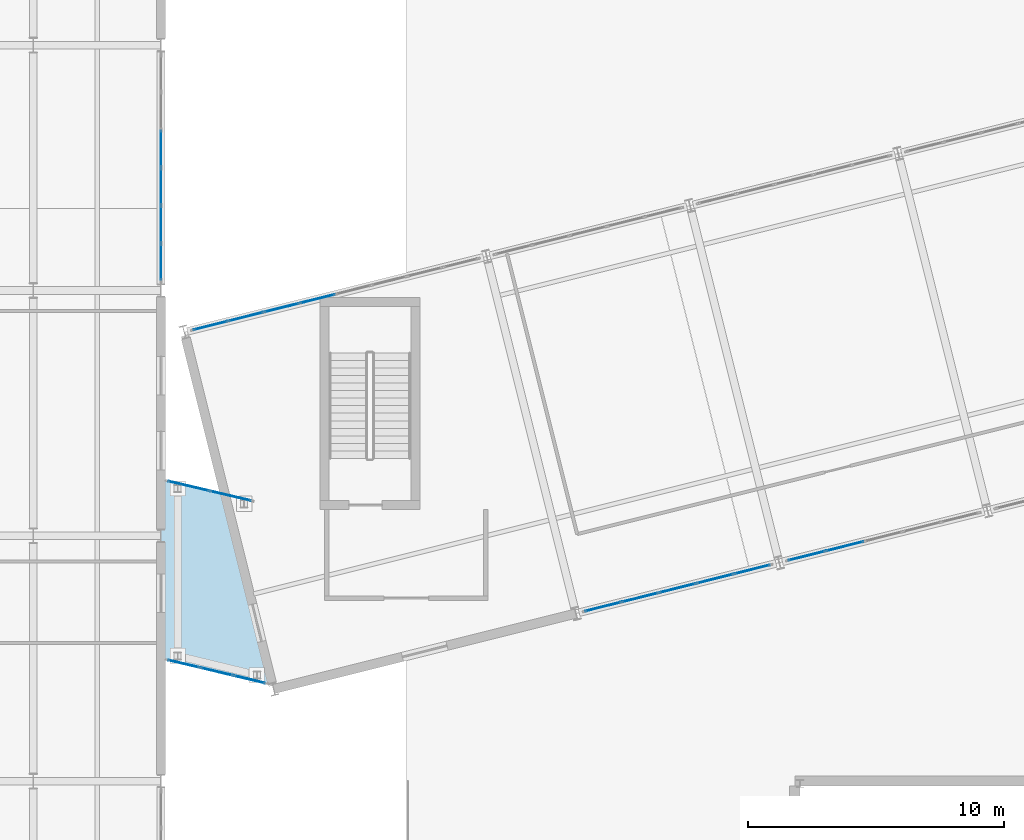
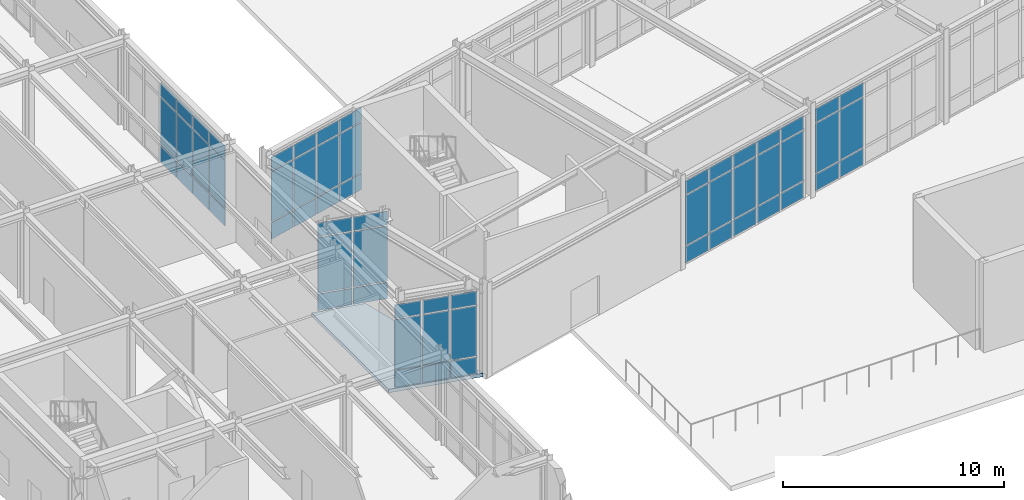
# One storey, part 66 of 109: 60 plates, 1 slab, 6 elements without a shape of their own.
"""IFC4 building model written with IfcOpenShell, lengths in metres."""

from ifc_helpers import new_model, si_unit, direction, frame, origin, origin_2d, place, context, subcontext, project, spatial, polyline, rectangle, outline, extrude, material, layer, layer_set, type_object, element, aggregate, save


model = new_model("IFC4")

# Units and contexts
model_context = context("Model", 3, precision=1e-05, world=origin(), true_north=direction((0.0, 1.0)))
body_context = subcontext(model_context, "Body", "Model", "MODEL_VIEW")
ifc_project = project(units=[si_unit("LENGTHUNIT", "METRE"), si_unit("AREAUNIT", "SQUARE_METRE"), si_unit("VOLUMEUNIT", "CUBIC_METRE"), si_unit("PLANEANGLEUNIT", "RADIAN"), si_unit("MASSUNIT", "GRAM", prefix="KILO")], contexts=[model_context])

# Site, building, storey
site_placement = place(None, origin())
site = spatial("IfcSite", under=ifc_project, at=site_placement, CompositionType="ELEMENT")
building_placement = place(site_placement, origin())
building = spatial("IfcBuilding", under=site, at=building_placement, Name="Nordkorset Police Headquarters", CompositionType="ELEMENT")
storey_placement = place(building_placement, origin())
storey = spatial("IfcBuildingStorey", under=building, at=storey_placement, Name="L00", CompositionType="ELEMENT", Elevation=0.0)

# Curtain wall, plates
ifc_material_1 = material(Name="Aluminium alloy AW-6060", Category="aluminium")
ifc_layer_1 = layer(ifc_material_1, 0.179931640625, Name="Aluminium alloy AW-6060")
ifc_layer_set_1 = layer_set([ifc_layer_1], Name="Aluminium alloy AW-6060")
curtain_wall_type_1 = type_object("IfcCurtainWallType", Name="CW_Unit_888x454", PredefinedType="USERDEFINED", material=ifc_layer_set_1)
curtain_wall_1_placement = place(storey_placement, origin())
curtain_wall_1 = element("IfcCurtainWall", 1, at=curtain_wall_1_placement, inside=storey, type_object=curtain_wall_type_1, Name="Unitised Curtain Wall L00 V3E-3", ObjectType="UNITISED CURTAIN WALL", PredefinedType="USERDEFINED")
ifc_material_2 = material(Name="Low-iron triple glazing", Category="glass")
ifc_layer_2 = layer(ifc_material_2, 0.035888671875, Name="Low-iron triple glazing")
ifc_layer_set_2 = layer_set([ifc_layer_2], Name="Low-iron triple glazing")
plate_type = type_object("IfcPlateType", Name="CW_Panel_TripleGlazing_36", PredefinedType="CURTAIN_PANEL", material=ifc_layer_set_2)
plate_1_placement = place(storey_placement, frame((19.199951171875, 58.71630859375, 0.06494140625), z_axis=(0.0, 0.0, 1.0), x_axis=(0.0, 1.0, 0.0)))
plate_1 = element("IfcPlate", 2, at=plate_1_placement, type_object=plate_type, Name="CW-82 panel 1.1", PredefinedType="CURTAIN_PANEL", context=body_context, shape_type="SweptSolid", body=[
    extrude(rectangle(XDim=1.382568359375, YDim=0.035888671875, at=origin_2d()), origin(), (0.0, 0.0, 1.0), 0.902587890625),
])
plate_2_placement = place(storey_placement, frame((19.199951171875, 58.71630859375, 1.032470703125), z_axis=(0.0, 0.0, 1.0), x_axis=(0.0, 1.0, 0.0)))
plate_2 = element("IfcPlate", 3, at=plate_2_placement, type_object=plate_type, Name="CW-82 panel 1.2", PredefinedType="CURTAIN_PANEL", context=body_context, shape_type="SweptSolid", body=[
    extrude(rectangle(XDim=1.382568359375, YDim=0.035888671875, at=origin_2d()), origin(), (0.0, 0.0, 1.0), 2.625),
])
plate_3_placement = place(storey_placement, frame((19.199951171875, 58.71630859375, 3.722412109375), z_axis=(0.0, 0.0, 1.0), x_axis=(0.0, 1.0, 0.0)))
plate_3 = element("IfcPlate", 4, at=plate_3_placement, type_object=plate_type, Name="CW-82 panel 1.3", PredefinedType="CURTAIN_PANEL", context=body_context, shape_type="SweptSolid", body=[
    extrude(rectangle(XDim=1.382568359375, YDim=0.035888671875, at=origin_2d()), origin(), (0.0, 0.0, 1.0), 0.75244140625),
])
plate_4_placement = place(storey_placement, frame((19.199951171875, 60.179931640625, 0.06494140625), z_axis=(0.0, 0.0, 1.0), x_axis=(0.0, 1.0, 0.0)))
plate_4 = element("IfcPlate", 5, at=plate_4_placement, type_object=plate_type, Name="CW-82 panel 2.1", PredefinedType="CURTAIN_PANEL", context=body_context, shape_type="SweptSolid", body=[
    extrude(rectangle(XDim=1.4150390625, YDim=0.035888671875, at=origin_2d()), origin(), (0.0, 0.0, 1.0), 0.902587890625),
])
plate_5_placement = place(storey_placement, frame((19.199951171875, 60.179931640625, 1.032470703125), z_axis=(0.0, 0.0, 1.0), x_axis=(0.0, 1.0, 0.0)))
plate_5 = element("IfcPlate", 6, at=plate_5_placement, type_object=plate_type, Name="CW-82 panel 2.2", PredefinedType="CURTAIN_PANEL", context=body_context, shape_type="SweptSolid", body=[
    extrude(rectangle(XDim=1.4150390625, YDim=0.035888671875, at=origin_2d()), origin(), (0.0, 0.0, 1.0), 2.625),
])
plate_6_placement = place(storey_placement, frame((19.199951171875, 60.179931640625, 3.722412109375), z_axis=(0.0, 0.0, 1.0), x_axis=(0.0, 1.0, 0.0)))
plate_6 = element("IfcPlate", 7, at=plate_6_placement, type_object=plate_type, Name="CW-82 panel 2.3", PredefinedType="CURTAIN_PANEL", context=body_context, shape_type="SweptSolid", body=[
    extrude(rectangle(XDim=1.4150390625, YDim=0.035888671875, at=origin_2d()), origin(), (0.0, 0.0, 1.0), 0.75244140625),
])
plate_7_placement = place(storey_placement, frame((19.199951171875, 61.659912109375, 0.06494140625), z_axis=(0.0, 0.0, 1.0), x_axis=(0.0, 1.0, 0.0)))
plate_7 = element("IfcPlate", 8, at=plate_7_placement, type_object=plate_type, Name="CW-82 panel 3.1", PredefinedType="CURTAIN_PANEL", context=body_context, shape_type="SweptSolid", body=[
    extrude(rectangle(XDim=1.4150390625, YDim=0.035888671875, at=origin_2d()), origin(), (0.0, 0.0, 1.0), 0.902587890625),
])
plate_8_placement = place(storey_placement, frame((19.199951171875, 61.659912109375, 1.032470703125), z_axis=(0.0, 0.0, 1.0), x_axis=(0.0, 1.0, 0.0)))
plate_8 = element("IfcPlate", 9, at=plate_8_placement, type_object=plate_type, Name="CW-82 panel 3.2", PredefinedType="CURTAIN_PANEL", context=body_context, shape_type="SweptSolid", body=[
    extrude(rectangle(XDim=1.4150390625, YDim=0.035888671875, at=origin_2d()), origin(), (0.0, 0.0, 1.0), 2.625),
])
plate_9_placement = place(storey_placement, frame((19.199951171875, 61.659912109375, 3.722412109375), z_axis=(0.0, 0.0, 1.0), x_axis=(0.0, 1.0, 0.0)))
plate_9 = element("IfcPlate", 10, at=plate_9_placement, type_object=plate_type, Name="CW-82 panel 3.3", PredefinedType="CURTAIN_PANEL", context=body_context, shape_type="SweptSolid", body=[
    extrude(rectangle(XDim=1.4150390625, YDim=0.035888671875, at=origin_2d()), origin(), (0.0, 0.0, 1.0), 0.75244140625),
])
plate_10_placement = place(storey_placement, frame((19.199951171875, 63.139892578125, 0.06494140625), z_axis=(0.0, 0.0, 1.0), x_axis=(0.0, 1.0, 0.0)))
plate_10 = element("IfcPlate", 11, at=plate_10_placement, type_object=plate_type, Name="CW-82 panel 4.1", PredefinedType="CURTAIN_PANEL", context=body_context, shape_type="SweptSolid", body=[
    extrude(rectangle(XDim=1.4150390625, YDim=0.035888671875, at=origin_2d()), origin(), (0.0, 0.0, 1.0), 0.902587890625),
])
plate_11_placement = place(storey_placement, frame((19.199951171875, 63.139892578125, 1.032470703125), z_axis=(0.0, 0.0, 1.0), x_axis=(0.0, 1.0, 0.0)))
plate_11 = element("IfcPlate", 12, at=plate_11_placement, type_object=plate_type, Name="CW-82 panel 4.2", PredefinedType="CURTAIN_PANEL", context=body_context, shape_type="SweptSolid", body=[
    extrude(rectangle(XDim=1.4150390625, YDim=0.035888671875, at=origin_2d()), origin(), (0.0, 0.0, 1.0), 2.625),
])
plate_12_placement = place(storey_placement, frame((19.199951171875, 63.139892578125, 3.722412109375), z_axis=(0.0, 0.0, 1.0), x_axis=(0.0, 1.0, 0.0)))
plate_12 = element("IfcPlate", 13, at=plate_12_placement, type_object=plate_type, Name="CW-82 panel 4.3", PredefinedType="CURTAIN_PANEL", context=body_context, shape_type="SweptSolid", body=[
    extrude(rectangle(XDim=1.4150390625, YDim=0.035888671875, at=origin_2d()), origin(), (0.0, 0.0, 1.0), 0.75244140625),
])
aggregate(curtain_wall_1, [plate_1, plate_2, plate_3, plate_4, plate_5, plate_6, plate_7, plate_8, plate_9, plate_10, plate_11, plate_12])

ifc_material_3 = material(Name="Aluminium alloy AW-6060", Category="aluminium")
ifc_layer_3 = layer(ifc_material_3, 0.179931640625, Name="Aluminium alloy AW-6060")
ifc_layer_set_3 = layer_set([ifc_layer_3], Name="Aluminium alloy AW-6060")
curtain_wall_type_2 = type_object("IfcCurtainWallType", Name="CW_Unit_1156x467", PredefinedType="USERDEFINED", material=ifc_layer_set_3)
curtain_wall_2_placement = place(storey_placement, origin())
curtain_wall_2 = element("IfcCurtainWall", 14, at=curtain_wall_2_placement, inside=storey, type_object=curtain_wall_type_2, Name="Unitised Curtain Wall L00 V4N-0", ObjectType="UNITISED CURTAIN WALL", PredefinedType="USERDEFINED")
plate_13_placement = place(storey_placement, frame((21.134521484375, 56.226806640625, 0.06494140625), z_axis=(0.0, 0.0, 1.0), x_axis=(0.970142347489, 0.242536235663, 0.0)))
plate_13 = element("IfcPlate", 15, at=plate_13_placement, type_object=plate_type, Name="CW-93 panel 1.1", PredefinedType="CURTAIN_PANEL", context=body_context, shape_type="SweptSolid", body=[
    extrude(rectangle(XDim=1.347412109375, YDim=0.035888671875, at=origin_2d()), origin(), (0.0, 0.0, 1.0), 0.902587890625),
])
plate_14_placement = place(storey_placement, frame((21.134521484375, 56.226806640625, 1.032470703125), z_axis=(0.0, 0.0, 1.0), x_axis=(0.970142347489, 0.242536235663, 0.0)))
plate_14 = element("IfcPlate", 16, at=plate_14_placement, type_object=plate_type, Name="CW-93 panel 1.2", PredefinedType="CURTAIN_PANEL", context=body_context, shape_type="SweptSolid", body=[
    extrude(rectangle(XDim=1.347412109375, YDim=0.035888671875, at=origin_2d()), origin(), (0.0, 0.0, 1.0), 2.7548828125),
])
plate_15_placement = place(storey_placement, frame((21.134521484375, 56.226806640625, 3.8525390625), z_axis=(0.0, 0.0, 1.0), x_axis=(0.970142347489, 0.242536235663, 0.0)))
plate_15 = element("IfcPlate", 17, at=plate_15_placement, type_object=plate_type, Name="CW-93 panel 1.3", PredefinedType="CURTAIN_PANEL", context=body_context, shape_type="SweptSolid", body=[
    extrude(rectangle(XDim=1.347412109375, YDim=0.035888671875, at=origin_2d()), origin(), (0.0, 0.0, 1.0), 0.75244140625),
])
plate_16_placement = place(storey_placement, frame((22.520751953125, 56.5732421875, 0.06494140625), z_axis=(0.0, 0.0, 1.0), x_axis=(0.970142347489, 0.242536235663, 0.0)))
plate_16 = element("IfcPlate", 18, at=plate_16_placement, type_object=plate_type, Name="CW-93 panel 2.1", PredefinedType="CURTAIN_PANEL", context=body_context, shape_type="SweptSolid", body=[
    extrude(rectangle(XDim=1.3798828125, YDim=0.035888671875, at=origin_2d()), origin(), (0.0, 0.0, 1.0), 0.902587890625),
])
plate_17_placement = place(storey_placement, frame((22.520751953125, 56.5732421875, 1.032470703125), z_axis=(0.0, 0.0, 1.0), x_axis=(0.970142347489, 0.242536235663, 0.0)))
plate_17 = element("IfcPlate", 19, at=plate_17_placement, type_object=plate_type, Name="CW-93 panel 2.2", PredefinedType="CURTAIN_PANEL", context=body_context, shape_type="SweptSolid", body=[
    extrude(rectangle(XDim=1.3798828125, YDim=0.035888671875, at=origin_2d()), origin(), (0.0, 0.0, 1.0), 2.7548828125),
])
plate_18_placement = place(storey_placement, frame((22.520751953125, 56.5732421875, 3.8525390625), z_axis=(0.0, 0.0, 1.0), x_axis=(0.970142347489, 0.242536235663, 0.0)))
plate_18 = element("IfcPlate", 20, at=plate_18_placement, type_object=plate_type, Name="CW-93 panel 2.3", PredefinedType="CURTAIN_PANEL", context=body_context, shape_type="SweptSolid", body=[
    extrude(rectangle(XDim=1.3798828125, YDim=0.035888671875, at=origin_2d()), origin(), (0.0, 0.0, 1.0), 0.75244140625),
])
plate_19_placement = place(storey_placement, frame((23.922607421875, 56.923828125, 0.06494140625), z_axis=(0.0, 0.0, 1.0), x_axis=(0.970142347489, 0.242536235663, 0.0)))
plate_19 = element("IfcPlate", 21, at=plate_19_placement, type_object=plate_type, Name="CW-93 panel 3.1", PredefinedType="CURTAIN_PANEL", context=body_context, shape_type="SweptSolid", body=[
    extrude(rectangle(XDim=1.3798828125, YDim=0.035888671875, at=origin_2d()), origin(), (0.0, 0.0, 1.0), 0.902587890625),
])
plate_20_placement = place(storey_placement, frame((23.922607421875, 56.923828125, 1.032470703125), z_axis=(0.0, 0.0, 1.0), x_axis=(0.970142347489, 0.242536235663, 0.0)))
plate_20 = element("IfcPlate", 22, at=plate_20_placement, type_object=plate_type, Name="CW-93 panel 3.2", PredefinedType="CURTAIN_PANEL", context=body_context, shape_type="SweptSolid", body=[
    extrude(rectangle(XDim=1.3798828125, YDim=0.035888671875, at=origin_2d()), origin(), (0.0, 0.0, 1.0), 2.7548828125),
])
plate_21_placement = place(storey_placement, frame((23.922607421875, 56.923828125, 3.8525390625), z_axis=(0.0, 0.0, 1.0), x_axis=(0.970142347489, 0.242536235663, 0.0)))
plate_21 = element("IfcPlate", 23, at=plate_21_placement, type_object=plate_type, Name="CW-93 panel 3.3", PredefinedType="CURTAIN_PANEL", context=body_context, shape_type="SweptSolid", body=[
    extrude(rectangle(XDim=1.3798828125, YDim=0.035888671875, at=origin_2d()), origin(), (0.0, 0.0, 1.0), 0.75244140625),
])
plate_22_placement = place(storey_placement, frame((25.324462890625, 57.274169921875, 0.06494140625), z_axis=(0.0, 0.0, 1.0), x_axis=(0.970142347489, 0.242536235663, 0.0)))
plate_22 = element("IfcPlate", 24, at=plate_22_placement, type_object=plate_type, Name="CW-93 panel 4.1", PredefinedType="CURTAIN_PANEL", context=body_context, shape_type="SweptSolid", body=[
    extrude(rectangle(XDim=1.3798828125, YDim=0.035888671875, at=origin_2d()), origin(), (0.0, 0.0, 1.0), 0.902587890625),
])
plate_23_placement = place(storey_placement, frame((25.324462890625, 57.274169921875, 1.032470703125), z_axis=(0.0, 0.0, 1.0), x_axis=(0.970142347489, 0.242536235663, 0.0)))
plate_23 = element("IfcPlate", 25, at=plate_23_placement, type_object=plate_type, Name="CW-93 panel 4.2", PredefinedType="CURTAIN_PANEL", context=body_context, shape_type="SweptSolid", body=[
    extrude(rectangle(XDim=1.3798828125, YDim=0.035888671875, at=origin_2d()), origin(), (0.0, 0.0, 1.0), 2.7548828125),
])
plate_24_placement = place(storey_placement, frame((25.324462890625, 57.274169921875, 3.8525390625), z_axis=(0.0, 0.0, 1.0), x_axis=(0.970142347489, 0.242536235663, 0.0)))
plate_24 = element("IfcPlate", 26, at=plate_24_placement, type_object=plate_type, Name="CW-93 panel 4.3", PredefinedType="CURTAIN_PANEL", context=body_context, shape_type="SweptSolid", body=[
    extrude(rectangle(XDim=1.3798828125, YDim=0.035888671875, at=origin_2d()), origin(), (0.0, 0.0, 1.0), 0.75244140625),
])
aggregate(curtain_wall_2, [plate_13, plate_14, plate_15, plate_16, plate_17, plate_18, plate_19, plate_20, plate_21, plate_22, plate_23, plate_24])

ifc_material_4 = material(Name="Aluminium alloy AW-6060", Category="aluminium")
ifc_layer_4 = layer(ifc_material_4, 0.179931640625, Name="Aluminium alloy AW-6060")
ifc_layer_set_4 = layer_set([ifc_layer_4], Name="Aluminium alloy AW-6060")
curtain_wall_type_3 = type_object("IfcCurtainWallType", Name="CW_Unit_756x467", PredefinedType="USERDEFINED", material=ifc_layer_set_4)
curtain_wall_3_placement = place(storey_placement, origin())
curtain_wall_3 = element("IfcCurtainWall", 27, at=curtain_wall_3_placement, inside=storey, type_object=curtain_wall_type_3, Name="Unitised Curtain Wall L00 V4S-1", ObjectType="UNITISED CURTAIN WALL", PredefinedType="USERDEFINED")
plate_25_placement = place(storey_placement, frame((36.495361328125, 45.223876953125, 0.06494140625), z_axis=(0.0, 0.0, 1.0), x_axis=(0.970142500145, 0.242535625038, 0.0)))
plate_25 = element("IfcPlate", 28, at=plate_25_placement, type_object=plate_type, Name="CW-54 panel 1.1", PredefinedType="CURTAIN_PANEL", context=body_context, shape_type="SweptSolid", body=[
    extrude(rectangle(XDim=1.41455078125, YDim=0.035888671875, at=origin_2d()), origin(), (0.0, 0.0, 1.0), 0.902587890625),
])
plate_26_placement = place(storey_placement, frame((36.495361328125, 45.223876953125, 1.032470703125), z_axis=(0.0, 0.0, 1.0), x_axis=(0.970142500145, 0.242535625038, 0.0)))
plate_26 = element("IfcPlate", 29, at=plate_26_placement, type_object=plate_type, Name="CW-54 panel 1.2", PredefinedType="CURTAIN_PANEL", context=body_context, shape_type="SweptSolid", body=[
    extrude(rectangle(XDim=1.41455078125, YDim=0.035888671875, at=origin_2d()), origin(), (0.0, 0.0, 1.0), 2.7548828125),
])
plate_27_placement = place(storey_placement, frame((36.495361328125, 45.223876953125, 3.8525390625), z_axis=(0.0, 0.0, 1.0), x_axis=(0.970142500145, 0.242535625038, 0.0)))
plate_27 = element("IfcPlate", 30, at=plate_27_placement, type_object=plate_type, Name="CW-54 panel 1.3", PredefinedType="CURTAIN_PANEL", context=body_context, shape_type="SweptSolid", body=[
    extrude(rectangle(XDim=1.41455078125, YDim=0.035888671875, at=origin_2d()), origin(), (0.0, 0.0, 1.0), 0.75244140625),
])
plate_28_placement = place(storey_placement, frame((37.946533203125, 45.586669921875, 0.06494140625), z_axis=(0.0, 0.0, 1.0), x_axis=(0.970142500145, 0.242535625038, 0.0)))
plate_28 = element("IfcPlate", 31, at=plate_28_placement, type_object=plate_type, Name="CW-54 panel 2.1", PredefinedType="CURTAIN_PANEL", context=body_context, shape_type="SweptSolid", body=[
    extrude(rectangle(XDim=1.447021484375, YDim=0.035888671875, at=origin_2d()), origin(), (0.0, 0.0, 1.0), 0.902587890625),
])
plate_29_placement = place(storey_placement, frame((37.946533203125, 45.586669921875, 1.032470703125), z_axis=(0.0, 0.0, 1.0), x_axis=(0.970142500145, 0.242535625038, 0.0)))
plate_29 = element("IfcPlate", 32, at=plate_29_placement, type_object=plate_type, Name="CW-54 panel 2.2", PredefinedType="CURTAIN_PANEL", context=body_context, shape_type="SweptSolid", body=[
    extrude(rectangle(XDim=1.447021484375, YDim=0.035888671875, at=origin_2d()), origin(), (0.0, 0.0, 1.0), 2.7548828125),
])
plate_30_placement = place(storey_placement, frame((37.946533203125, 45.586669921875, 3.8525390625), z_axis=(0.0, 0.0, 1.0), x_axis=(0.970142500145, 0.242535625038, 0.0)))
plate_30 = element("IfcPlate", 33, at=plate_30_placement, type_object=plate_type, Name="CW-54 panel 2.3", PredefinedType="CURTAIN_PANEL", context=body_context, shape_type="SweptSolid", body=[
    extrude(rectangle(XDim=1.447021484375, YDim=0.035888671875, at=origin_2d()), origin(), (0.0, 0.0, 1.0), 0.75244140625),
])
plate_31_placement = place(storey_placement, frame((39.413330078125, 45.953369140625, 0.06494140625), z_axis=(0.0, 0.0, 1.0), x_axis=(0.970142500145, 0.242535625038, 0.0)))
plate_31 = element("IfcPlate", 34, at=plate_31_placement, type_object=plate_type, Name="CW-54 panel 3.1", PredefinedType="CURTAIN_PANEL", context=body_context, shape_type="SweptSolid", body=[
    extrude(rectangle(XDim=1.447021484375, YDim=0.035888671875, at=origin_2d()), origin(), (0.0, 0.0, 1.0), 0.902587890625),
])
plate_32_placement = place(storey_placement, frame((39.413330078125, 45.953369140625, 1.032470703125), z_axis=(0.0, 0.0, 1.0), x_axis=(0.970142500145, 0.242535625038, 0.0)))
plate_32 = element("IfcPlate", 35, at=plate_32_placement, type_object=plate_type, Name="CW-54 panel 3.2", PredefinedType="CURTAIN_PANEL", context=body_context, shape_type="SweptSolid", body=[
    extrude(rectangle(XDim=1.447021484375, YDim=0.035888671875, at=origin_2d()), origin(), (0.0, 0.0, 1.0), 2.7548828125),
])
plate_33_placement = place(storey_placement, frame((39.413330078125, 45.953369140625, 3.8525390625), z_axis=(0.0, 0.0, 1.0), x_axis=(0.970142500145, 0.242535625038, 0.0)))
plate_33 = element("IfcPlate", 36, at=plate_33_placement, type_object=plate_type, Name="CW-54 panel 3.3", PredefinedType="CURTAIN_PANEL", context=body_context, shape_type="SweptSolid", body=[
    extrude(rectangle(XDim=1.447021484375, YDim=0.035888671875, at=origin_2d()), origin(), (0.0, 0.0, 1.0), 0.75244140625),
])
plate_34_placement = place(storey_placement, frame((40.880126953125, 46.320068359375, 0.06494140625), z_axis=(0.0, 0.0, 1.0), x_axis=(0.970142500145, 0.242535625038, 0.0)))
plate_34 = element("IfcPlate", 37, at=plate_34_placement, type_object=plate_type, Name="CW-54 panel 4.1", PredefinedType="CURTAIN_PANEL", context=body_context, shape_type="SweptSolid", body=[
    extrude(rectangle(XDim=1.447021484375, YDim=0.035888671875, at=origin_2d()), origin(), (0.0, 0.0, 1.0), 0.902587890625),
])
plate_35_placement = place(storey_placement, frame((40.880126953125, 46.320068359375, 1.032470703125), z_axis=(0.0, 0.0, 1.0), x_axis=(0.970142500145, 0.242535625038, 0.0)))
plate_35 = element("IfcPlate", 38, at=plate_35_placement, type_object=plate_type, Name="CW-54 panel 4.2", PredefinedType="CURTAIN_PANEL", context=body_context, shape_type="SweptSolid", body=[
    extrude(rectangle(XDim=1.447021484375, YDim=0.035888671875, at=origin_2d()), origin(), (0.0, 0.0, 1.0), 2.7548828125),
])
plate_36_placement = place(storey_placement, frame((40.880126953125, 46.320068359375, 3.8525390625), z_axis=(0.0, 0.0, 1.0), x_axis=(0.970142500145, 0.242535625038, 0.0)))
plate_36 = element("IfcPlate", 39, at=plate_36_placement, type_object=plate_type, Name="CW-54 panel 4.3", PredefinedType="CURTAIN_PANEL", context=body_context, shape_type="SweptSolid", body=[
    extrude(rectangle(XDim=1.447021484375, YDim=0.035888671875, at=origin_2d()), origin(), (0.0, 0.0, 1.0), 0.75244140625),
])
plate_37_placement = place(storey_placement, frame((42.331298828125, 46.682861328125, 0.06494140625), z_axis=(0.0, 0.0, 1.0), x_axis=(0.970142500145, 0.242535625038, 0.0)))
plate_37 = element("IfcPlate", 40, at=plate_37_placement, type_object=plate_type, Name="CW-54 panel 5.1", PredefinedType="CURTAIN_PANEL", context=body_context, shape_type="SweptSolid", body=[
    extrude(rectangle(XDim=1.41455078125, YDim=0.035888671875, at=origin_2d()), origin(), (0.0, 0.0, 1.0), 0.902587890625),
])
plate_38_placement = place(storey_placement, frame((42.331298828125, 46.682861328125, 1.032470703125), z_axis=(0.0, 0.0, 1.0), x_axis=(0.970142500145, 0.242535625038, 0.0)))
plate_38 = element("IfcPlate", 41, at=plate_38_placement, type_object=plate_type, Name="CW-54 panel 5.2", PredefinedType="CURTAIN_PANEL", context=body_context, shape_type="SweptSolid", body=[
    extrude(rectangle(XDim=1.41455078125, YDim=0.035888671875, at=origin_2d()), origin(), (0.0, 0.0, 1.0), 2.7548828125),
])
plate_39_placement = place(storey_placement, frame((42.331298828125, 46.682861328125, 3.8525390625), z_axis=(0.0, 0.0, 1.0), x_axis=(0.970142500145, 0.242535625038, 0.0)))
plate_39 = element("IfcPlate", 42, at=plate_39_placement, type_object=plate_type, Name="CW-54 panel 5.3", PredefinedType="CURTAIN_PANEL", context=body_context, shape_type="SweptSolid", body=[
    extrude(rectangle(XDim=1.41455078125, YDim=0.035888671875, at=origin_2d()), origin(), (0.0, 0.0, 1.0), 0.75244140625),
])
aggregate(curtain_wall_3, [plate_25, plate_26, plate_27, plate_28, plate_29, plate_30, plate_31, plate_32, plate_33, plate_34, plate_35, plate_36, plate_37, plate_38, plate_39])

ifc_material_5 = material(Name="Aluminium alloy AW-6060", Category="aluminium")
ifc_layer_5 = layer(ifc_material_5, 0.179931640625, Name="Aluminium alloy AW-6060")
ifc_layer_set_5 = layer_set([ifc_layer_5], Name="Aluminium alloy AW-6060")
curtain_wall_type_4 = type_object("IfcCurtainWallType", Name="CW_Unit_776x467", PredefinedType="USERDEFINED", material=ifc_layer_set_5)
curtain_wall_4_placement = place(storey_placement, origin())
curtain_wall_4 = element("IfcCurtainWall", 43, at=curtain_wall_4_placement, inside=storey, type_object=curtain_wall_type_4, Name="Unitised Curtain Wall L00 V4S-2", ObjectType="UNITISED CURTAIN WALL", PredefinedType="USERDEFINED")
plate_40_placement = place(storey_placement, frame((44.469970703125, 47.217529296875, 0.06494140625), z_axis=(0.0, 0.0, 1.0), x_axis=(0.970142727556, 0.24253471539, 0.0)))
plate_40 = element("IfcPlate", 44, at=plate_40_placement, type_object=plate_type, Name="CW-99 panel 1.1", PredefinedType="CURTAIN_PANEL", context=body_context, shape_type="SweptSolid", body=[
    extrude(rectangle(XDim=1.45458984375, YDim=0.035888671875, at=origin_2d()), origin(), (0.0, 0.0, 1.0), 0.902587890625),
])
plate_41_placement = place(storey_placement, frame((44.469970703125, 47.217529296875, 1.032470703125), z_axis=(0.0, 0.0, 1.0), x_axis=(0.970142727556, 0.24253471539, 0.0)))
plate_41 = element("IfcPlate", 45, at=plate_41_placement, type_object=plate_type, Name="CW-99 panel 1.2", PredefinedType="CURTAIN_PANEL", context=body_context, shape_type="SweptSolid", body=[
    extrude(rectangle(XDim=1.45458984375, YDim=0.035888671875, at=origin_2d()), origin(), (0.0, 0.0, 1.0), 2.7548828125),
])
plate_42_placement = place(storey_placement, frame((44.469970703125, 47.217529296875, 3.8525390625), z_axis=(0.0, 0.0, 1.0), x_axis=(0.970142727556, 0.24253471539, 0.0)))
plate_42 = element("IfcPlate", 46, at=plate_42_placement, type_object=plate_type, Name="CW-99 panel 1.3", PredefinedType="CURTAIN_PANEL", context=body_context, shape_type="SweptSolid", body=[
    extrude(rectangle(XDim=1.45458984375, YDim=0.035888671875, at=origin_2d()), origin(), (0.0, 0.0, 1.0), 0.75244140625),
])
plate_43_placement = place(storey_placement, frame((45.9599609375, 47.58984375, 0.06494140625), z_axis=(0.0, 0.0, 1.0), x_axis=(0.970142727556, 0.24253471539, 0.0)))
plate_43 = element("IfcPlate", 47, at=plate_43_placement, type_object=plate_type, Name="CW-99 panel 2.1", PredefinedType="CURTAIN_PANEL", context=body_context, shape_type="SweptSolid", body=[
    extrude(rectangle(XDim=1.487060546875, YDim=0.035888671875, at=origin_2d()), origin(), (0.0, 0.0, 1.0), 0.902587890625),
])
plate_44_placement = place(storey_placement, frame((45.9599609375, 47.58984375, 1.032470703125), z_axis=(0.0, 0.0, 1.0), x_axis=(0.970142727556, 0.24253471539, 0.0)))
plate_44 = element("IfcPlate", 48, at=plate_44_placement, type_object=plate_type, Name="CW-99 panel 2.2", PredefinedType="CURTAIN_PANEL", context=body_context, shape_type="SweptSolid", body=[
    extrude(rectangle(XDim=1.487060546875, YDim=0.035888671875, at=origin_2d()), origin(), (0.0, 0.0, 1.0), 2.7548828125),
])
plate_45_placement = place(storey_placement, frame((45.9599609375, 47.58984375, 3.8525390625), z_axis=(0.0, 0.0, 1.0), x_axis=(0.970142727556, 0.24253471539, 0.0)))
plate_45 = element("IfcPlate", 49, at=plate_45_placement, type_object=plate_type, Name="CW-99 panel 2.3", PredefinedType="CURTAIN_PANEL", context=body_context, shape_type="SweptSolid", body=[
    extrude(rectangle(XDim=1.487060546875, YDim=0.035888671875, at=origin_2d()), origin(), (0.0, 0.0, 1.0), 0.75244140625),
])
aggregate(curtain_wall_4, [plate_40, plate_41, plate_42, plate_43, plate_44, plate_45])

ifc_material_6 = material(Name="Aluminium alloy AW-6060", Category="aluminium")
ifc_layer_6 = layer(ifc_material_6, 0.179931640625, Name="Aluminium alloy AW-6060")
ifc_layer_set_6 = layer_set([ifc_layer_6], Name="Aluminium alloy AW-6060")
curtain_wall_type_5 = type_object("IfcCurtainWallType", Name="CW_Unit_401x468", PredefinedType="USERDEFINED", material=ifc_layer_set_6)
curtain_wall_5_placement = place(storey_placement, origin())
curtain_wall_5 = element("IfcCurtainWall", 50, at=curtain_wall_5_placement, inside=storey, type_object=curtain_wall_type_5, Name="Unitised Curtain Wall L00 BRGW-S", ObjectType="UNITISED CURTAIN WALL", PredefinedType="USERDEFINED")
plate_46_placement = place(storey_placement, frame((20.0908203125, 42.990234375, 0.06494140625), z_axis=(0.0, 0.0, 1.0), x_axis=(0.972904739966, -0.231206329825, 0.0)))
plate_46 = element("IfcPlate", 51, at=plate_46_placement, type_object=plate_type, Name="CW-08 panel 1.1", PredefinedType="CURTAIN_PANEL", context=body_context, shape_type="SweptSolid", body=[
    extrude(rectangle(XDim=1.238525390625, YDim=0.035888671875, at=origin_2d()), origin(), (0.0, 0.0, 1.0), 0.902587890625),
])
plate_47_placement = place(storey_placement, frame((20.0908203125, 42.990234375, 1.032470703125), z_axis=(0.0, 0.0, 1.0), x_axis=(0.972904739966, -0.231206329825, 0.0)))
plate_47 = element("IfcPlate", 52, at=plate_47_placement, type_object=plate_type, Name="CW-08 panel 1.2", PredefinedType="CURTAIN_PANEL", context=body_context, shape_type="SweptSolid", body=[
    extrude(rectangle(XDim=1.238525390625, YDim=0.035888671875, at=origin_2d()), origin(), (0.0, 0.0, 1.0), 2.77001953125),
])
plate_48_placement = place(storey_placement, frame((20.0908203125, 42.990234375, 3.867431640625), z_axis=(0.0, 0.0, 1.0), x_axis=(0.972904739966, -0.231206329825, 0.0)))
plate_48 = element("IfcPlate", 53, at=plate_48_placement, type_object=plate_type, Name="CW-08 panel 1.3", PredefinedType="CURTAIN_PANEL", context=body_context, shape_type="SweptSolid", body=[
    extrude(rectangle(XDim=1.238525390625, YDim=0.035888671875, at=origin_2d()), origin(), (0.0, 0.0, 1.0), 0.75244140625),
])
plate_49_placement = place(storey_placement, frame((21.375, 42.68505859375, 0.06494140625), z_axis=(0.0, 0.0, 1.0), x_axis=(0.972904739966, -0.231206329825, 0.0)))
plate_49 = element("IfcPlate", 54, at=plate_49_placement, type_object=plate_type, Name="CW-08 panel 2.1", PredefinedType="CURTAIN_PANEL", context=body_context, shape_type="SweptSolid", body=[
    extrude(rectangle(XDim=1.271240234375, YDim=0.035888671875, at=origin_2d()), origin(), (0.0, 0.0, 1.0), 0.902587890625),
])
plate_50_placement = place(storey_placement, frame((21.375, 42.68505859375, 1.032470703125), z_axis=(0.0, 0.0, 1.0), x_axis=(0.972904739966, -0.231206329825, 0.0)))
plate_50 = element("IfcPlate", 55, at=plate_50_placement, type_object=plate_type, Name="CW-08 panel 2.2", PredefinedType="CURTAIN_PANEL", context=body_context, shape_type="SweptSolid", body=[
    extrude(rectangle(XDim=1.271240234375, YDim=0.035888671875, at=origin_2d()), origin(), (0.0, 0.0, 1.0), 2.77001953125),
])
plate_51_placement = place(storey_placement, frame((21.375, 42.68505859375, 3.867431640625), z_axis=(0.0, 0.0, 1.0), x_axis=(0.972904739966, -0.231206329825, 0.0)))
plate_51 = element("IfcPlate", 56, at=plate_51_placement, type_object=plate_type, Name="CW-08 panel 2.3", PredefinedType="CURTAIN_PANEL", context=body_context, shape_type="SweptSolid", body=[
    extrude(rectangle(XDim=1.271240234375, YDim=0.035888671875, at=origin_2d()), origin(), (0.0, 0.0, 1.0), 0.75244140625),
])
plate_52_placement = place(storey_placement, frame((22.6591796875, 42.3798828125, 0.06494140625), z_axis=(0.0, 0.0, 1.0), x_axis=(0.972904739966, -0.231206329825, 0.0)))
plate_52 = element("IfcPlate", 57, at=plate_52_placement, type_object=plate_type, Name="CW-08 panel 3.1", PredefinedType="CURTAIN_PANEL", context=body_context, shape_type="SweptSolid", body=[
    extrude(rectangle(XDim=1.238525390625, YDim=0.035888671875, at=origin_2d()), origin(), (0.0, 0.0, 1.0), 0.902587890625),
])
plate_53_placement = place(storey_placement, frame((22.6591796875, 42.3798828125, 1.032470703125), z_axis=(0.0, 0.0, 1.0), x_axis=(0.972904739966, -0.231206329825, 0.0)))
plate_53 = element("IfcPlate", 58, at=plate_53_placement, type_object=plate_type, Name="CW-08 panel 3.2", PredefinedType="CURTAIN_PANEL", context=body_context, shape_type="SweptSolid", body=[
    extrude(rectangle(XDim=1.238525390625, YDim=0.035888671875, at=origin_2d()), origin(), (0.0, 0.0, 1.0), 2.77001953125),
])
plate_54_placement = place(storey_placement, frame((22.6591796875, 42.3798828125, 3.867431640625), z_axis=(0.0, 0.0, 1.0), x_axis=(0.972904739966, -0.231206329825, 0.0)))
plate_54 = element("IfcPlate", 59, at=plate_54_placement, type_object=plate_type, Name="CW-08 panel 3.3", PredefinedType="CURTAIN_PANEL", context=body_context, shape_type="SweptSolid", body=[
    extrude(rectangle(XDim=1.238525390625, YDim=0.035888671875, at=origin_2d()), origin(), (0.0, 0.0, 1.0), 0.75244140625),
])
aggregate(curtain_wall_5, [plate_46, plate_47, plate_48, plate_49, plate_50, plate_51, plate_52, plate_53, plate_54])

ifc_material_7 = material(Name="Aluminium alloy AW-6060", Category="aluminium")
ifc_layer_7 = layer(ifc_material_7, 0.179931640625, Name="Aluminium alloy AW-6060")
ifc_layer_set_7 = layer_set([ifc_layer_7], Name="Aluminium alloy AW-6060")
curtain_wall_type_6 = type_object("IfcCurtainWallType", Name="CW_Unit_344x497", PredefinedType="USERDEFINED", material=ifc_layer_set_7)
curtain_wall_6_placement = place(storey_placement, origin())
curtain_wall_6 = element("IfcCurtainWall", 60, at=curtain_wall_6_placement, inside=storey, type_object=curtain_wall_type_6, Name="Unitised Curtain Wall L00 BRGW-N", ObjectType="UNITISED CURTAIN WALL", PredefinedType="USERDEFINED")
plate_55_placement = place(storey_placement, frame((20.2783203125, 49.9482421875, 0.06494140625), z_axis=(0.0, 0.0, 1.0), x_axis=(0.973451612554, -0.228892896387, 0.0)))
plate_55 = element("IfcPlate", 61, at=plate_55_placement, type_object=plate_type, Name="CW-66 panel 1.1", PredefinedType="CURTAIN_PANEL", context=body_context, shape_type="SweptSolid", body=[
    extrude(rectangle(XDim=1.623046875, YDim=0.035888671875, at=origin_2d()), origin(), (0.0, 0.0, 1.0), 0.902587890625),
])
plate_56_placement = place(storey_placement, frame((20.2783203125, 49.9482421875, 1.03271484375), z_axis=(0.0, 0.0, 1.0), x_axis=(0.973451612554, -0.228892896387, 0.0)))
plate_56 = element("IfcPlate", 62, at=plate_56_placement, type_object=plate_type, Name="CW-66 panel 1.2", PredefinedType="CURTAIN_PANEL", context=body_context, shape_type="SweptSolid", body=[
    extrude(rectangle(XDim=1.623046875, YDim=0.035888671875, at=origin_2d()), origin(), (0.0, 0.0, 1.0), 3.054931640625),
])
plate_57_placement = place(storey_placement, frame((20.2783203125, 49.9482421875, 4.152587890625), z_axis=(0.0, 0.0, 1.0), x_axis=(0.973451612554, -0.228892896387, 0.0)))
plate_57 = element("IfcPlate", 63, at=plate_57_placement, type_object=plate_type, Name="CW-66 panel 1.3", PredefinedType="CURTAIN_PANEL", context=body_context, shape_type="SweptSolid", body=[
    extrude(rectangle(XDim=1.623046875, YDim=0.035888671875, at=origin_2d()), origin(), (0.0, 0.0, 1.0), 0.75244140625),
])
plate_58_placement = place(storey_placement, frame((21.921630859375, 49.561767578125, 0.06494140625), z_axis=(0.0, 0.0, 1.0), x_axis=(0.973451612554, -0.228892896387, 0.0)))
plate_58 = element("IfcPlate", 64, at=plate_58_placement, type_object=plate_type, Name="CW-66 panel 2.1", PredefinedType="CURTAIN_PANEL", context=body_context, shape_type="SweptSolid", body=[
    extrude(rectangle(XDim=1.623046875, YDim=0.035888671875, at=origin_2d()), origin(), (0.0, 0.0, 1.0), 0.902587890625),
])
plate_59_placement = place(storey_placement, frame((21.921630859375, 49.561767578125, 1.03271484375), z_axis=(0.0, 0.0, 1.0), x_axis=(0.973451612554, -0.228892896387, 0.0)))
plate_59 = element("IfcPlate", 65, at=plate_59_placement, type_object=plate_type, Name="CW-66 panel 2.2", PredefinedType="CURTAIN_PANEL", context=body_context, shape_type="SweptSolid", body=[
    extrude(rectangle(XDim=1.623046875, YDim=0.035888671875, at=origin_2d()), origin(), (0.0, 0.0, 1.0), 3.054931640625),
])
plate_60_placement = place(storey_placement, frame((21.921630859375, 49.561767578125, 4.152587890625), z_axis=(0.0, 0.0, 1.0), x_axis=(0.973451612554, -0.228892896387, 0.0)))
plate_60 = element("IfcPlate", 66, at=plate_60_placement, type_object=plate_type, Name="CW-66 panel 2.3", PredefinedType="CURTAIN_PANEL", context=body_context, shape_type="SweptSolid", body=[
    extrude(rectangle(XDim=1.623046875, YDim=0.035888671875, at=origin_2d()), origin(), (0.0, 0.0, 1.0), 0.75244140625),
])
aggregate(curtain_wall_6, [plate_55, plate_56, plate_57, plate_58, plate_59, plate_60])

# Slab
ifc_material_8 = material(Name="Concrete C35/45", Category="concrete")
ifc_layer_8 = layer(ifc_material_8, 0.195068359375, Name="Concrete C35/45")
ifc_layer_set_8 = layer_set([ifc_layer_8], Name="Concrete C35/45")
slab_type = type_object("IfcSlabType", Name="Slab_Bridge_195", PredefinedType="FLOOR", material=ifc_layer_set_8)
slab_placement = place(storey_placement, frame((0.0, 0.0, -0.195068359375)))
element("IfcSlab", 67, at=slab_placement, inside=storey, type_object=slab_type, Name="West Courtyard Glazed Link Bridge Floor Slab L00", PredefinedType="FLOOR", context=body_context, shape_type="SweptSolid", body=[
    extrude(outline(polyline([(19.205078125, 43.199951171875), (19.205078125, 50.199951171875), (21.69580078125, 49.616943359375), (23.5576171875, 42.169189453125), (19.205078125, 43.199951171875)])), origin(), (0.0, 0.0, 1.0), 0.195068359375),
])

save(model, "model.ifc")
